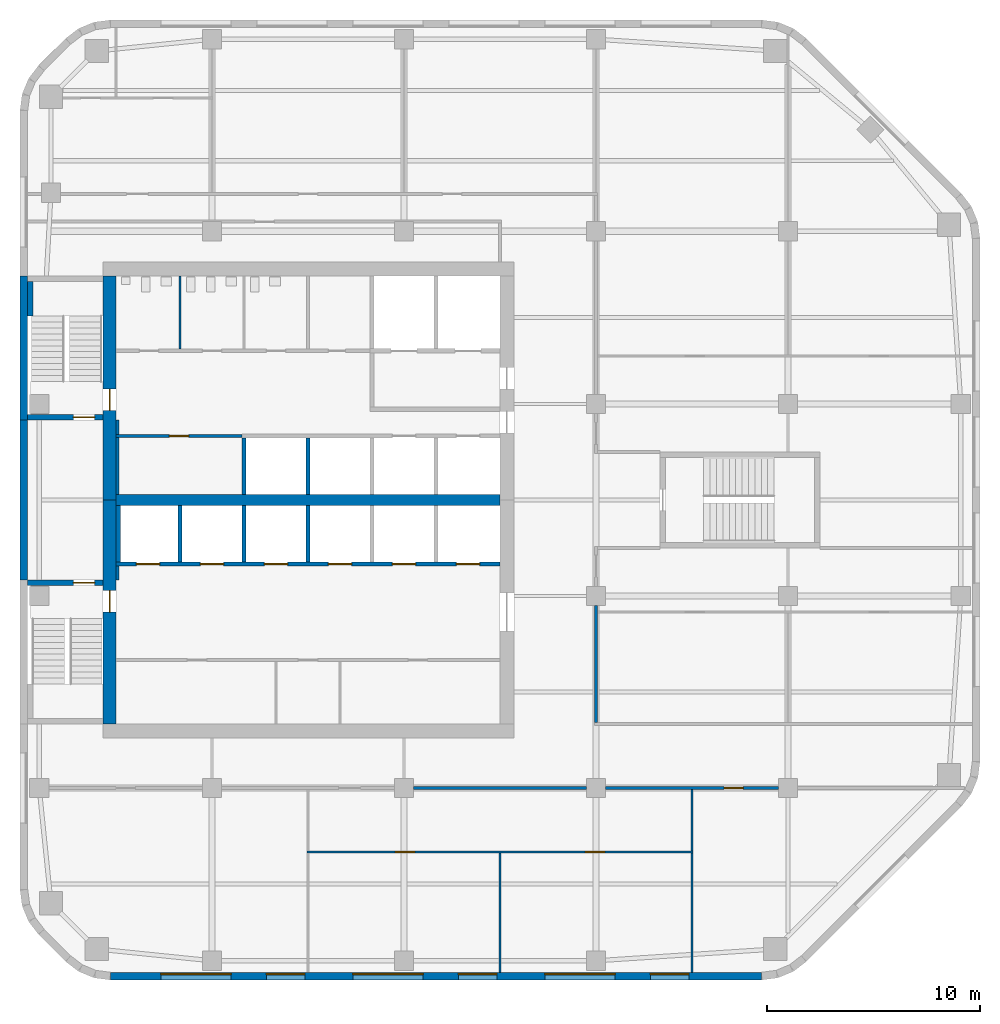
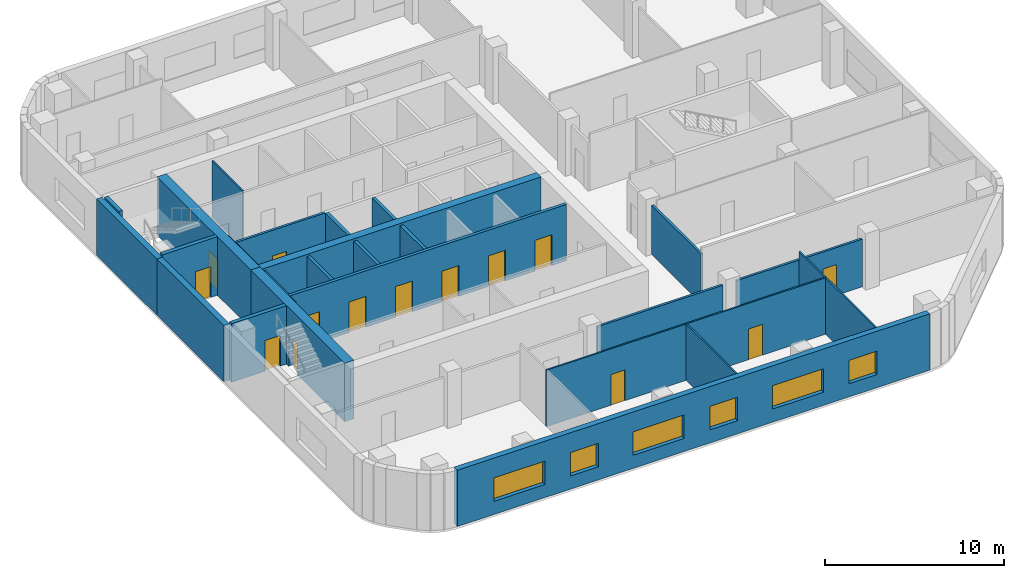
# One storey, part 3 of 8: 28 walls, 14 doors, 6 windows, 20 openings.
"""IFC4 building model written with IfcOpenShell, lengths in metres."""

from ifc_helpers import new_model, si_unit, direction, frame, frame_2d, origin, place, context, subcontext, project, spatial, rectangle, extrude, material, layer, layer_set, type_object, element, fill, save


model = new_model("IFC4")

# Units and contexts
model_context = context("Model", 3, precision=1e-05, world=origin(), true_north=direction((0.0, 1.0)))
body_context = subcontext(model_context, "Body", "Model", "MODEL_VIEW")
ifc_project = project(units=[si_unit("LENGTHUNIT", "METRE"), si_unit("AREAUNIT", "SQUARE_METRE"), si_unit("VOLUMEUNIT", "CUBIC_METRE"), si_unit("PLANEANGLEUNIT", "RADIAN"), si_unit("MASSUNIT", "GRAM", prefix="KILO")], contexts=[model_context])

# Site, building, storey
site_placement = place(None, origin())
site = spatial("IfcSite", under=ifc_project, at=site_placement, CompositionType="ELEMENT")
building_placement = place(site_placement, origin())
building = spatial("IfcBuilding", under=site, at=building_placement, Name="Cinnabar Reach Civic Tower", CompositionType="ELEMENT")
storey_placement = place(building_placement, frame((0.0, 0.0, 165.0)))
storey = spatial("IfcBuildingStorey", under=building, at=storey_placement, Name="L39", CompositionType="ELEMENT", Elevation=165.0)

# Wall, openings, windows
ifc_material_1 = material(Name="Facing brick with insulated backing", Category="masonry")
ifc_layer_1 = layer(ifc_material_1, 0.36)
ifc_layer_set_1 = layer_set([ifc_layer_1], Name="Brick pier and spandrel wall")
wall_type_1 = type_object("IfcWallType", Name="Brick pier and spandrel wall", PredefinedType="STANDARD", material=ifc_layer_set_1)
wall_1_placement = place(storey_placement, frame((4.2426, 9.18, 0.0), z_axis=(0.0, 0.0, 1.0), x_axis=(1.0, 0.0, 0.0)))
wall_1 = element("IfcWall", 1, at=wall_1_placement, inside=storey, type_object=wall_type_1, Name="Brick facade wall", PredefinedType="STANDARD", context=body_context, shape_type="SweptSolid", body=[
    extrude(rectangle(XDim=30.5148, YDim=0.36, at=frame_2d((15.2574, 0.0))), origin(), (0.0, 0.0, 1.0), 3.85),
])
opening_1_placement = place(wall_1_placement, frame((2.3574, 0.0, 0.9)))
opening_1 = element("IfcOpeningElement", 2, at=opening_1_placement, cuts=wall_1, Name="Opening W1801", PredefinedType="OPENING", context=body_context, shape_type="SweptSolid", body=[
    extrude(rectangle(XDim=3.3, YDim=1.6, at=frame_2d((1.65, 0.8))), frame((0.0, 0.19, 0.0), z_axis=(0.0, -1.0, 0.0), x_axis=(1.0, 0.0, 0.0)), (0.0, 0.0, 1.0), 0.38),
])
opening_2_placement = place(wall_1_placement, frame((7.3074, 0.0, 0.9)))
opening_2 = element("IfcOpeningElement", 3, at=opening_2_placement, cuts=wall_1, Name="Opening W1802", PredefinedType="OPENING", context=body_context, shape_type="SweptSolid", body=[
    extrude(rectangle(XDim=1.8, YDim=1.6, at=frame_2d((0.9, 0.8))), frame((0.0, 0.19, 0.0), z_axis=(0.0, -1.0, 0.0), x_axis=(1.0, 0.0, 0.0)), (0.0, 0.0, 1.0), 0.38),
])
opening_3_placement = place(wall_1_placement, frame((11.3574, 0.0, 0.9)))
opening_3 = element("IfcOpeningElement", 4, at=opening_3_placement, cuts=wall_1, Name="Opening W1803", PredefinedType="OPENING", context=body_context, shape_type="SweptSolid", body=[
    extrude(rectangle(XDim=3.3, YDim=1.6, at=frame_2d((1.65, 0.8))), frame((0.0, 0.19, 0.0), z_axis=(0.0, -1.0, 0.0), x_axis=(1.0, 0.0, 0.0)), (0.0, 0.0, 1.0), 0.38),
])
opening_4_placement = place(wall_1_placement, frame((16.3074, 0.0, 0.9)))
opening_4 = element("IfcOpeningElement", 5, at=opening_4_placement, cuts=wall_1, Name="Opening W1804", PredefinedType="OPENING", context=body_context, shape_type="SweptSolid", body=[
    extrude(rectangle(XDim=1.8, YDim=1.6, at=frame_2d((0.9, 0.8))), frame((0.0, 0.19, 0.0), z_axis=(0.0, -1.0, 0.0), x_axis=(1.0, 0.0, 0.0)), (0.0, 0.0, 1.0), 0.38),
])
opening_5_placement = place(wall_1_placement, frame((20.3574, 0.0, 0.9)))
opening_5 = element("IfcOpeningElement", 6, at=opening_5_placement, cuts=wall_1, Name="Opening W1805", PredefinedType="OPENING", context=body_context, shape_type="SweptSolid", body=[
    extrude(rectangle(XDim=3.3, YDim=1.6, at=frame_2d((1.65, 0.8))), frame((0.0, 0.19, 0.0), z_axis=(0.0, -1.0, 0.0), x_axis=(1.0, 0.0, 0.0)), (0.0, 0.0, 1.0), 0.38),
])
opening_6_placement = place(wall_1_placement, frame((25.3074, 0.0, 0.9)))
opening_6 = element("IfcOpeningElement", 7, at=opening_6_placement, cuts=wall_1, Name="Opening W1806", PredefinedType="OPENING", context=body_context, shape_type="SweptSolid", body=[
    extrude(rectangle(XDim=1.8, YDim=1.6, at=frame_2d((0.9, 0.8))), frame((0.0, 0.19, 0.0), z_axis=(0.0, -1.0, 0.0), x_axis=(1.0, 0.0, 0.0)), (0.0, 0.0, 1.0), 0.38),
])
ifc_material_2 = material(Name="Clear double glazing in aluminium frame", Category="aluminium")
window_type_1 = type_object("IfcWindowType", Name="Deep-set window A", PartitioningType="SINGLE_PANEL", PredefinedType="WINDOW", material=ifc_material_2)
window_1_placement = place(opening_1_placement, origin())
window_1 = element("IfcWindow", 8, at=window_1_placement, inside=storey, type_object=window_type_1, Name="Window south face", OverallHeight=1.6, OverallWidth=3.3, PartitioningType="SINGLE_PANEL", PredefinedType="WINDOW", context=body_context, shape_type="SweptSolid", body=[
    extrude(rectangle(XDim=3.3, YDim=1.6, at=frame_2d((1.65, 0.8))), frame((0.0, 0.13, 0.0), z_axis=(0.0, -1.0, 0.0), x_axis=(1.0, 0.0, 0.0)), (0.0, 0.0, 1.0), 0.06),
])
fill(opening_1, window_1)
window_2_placement = place(opening_3_placement, origin())
window_2 = element("IfcWindow", 9, at=window_2_placement, inside=storey, type_object=window_type_1, Name="Window south face", OverallHeight=1.6, OverallWidth=3.3, PartitioningType="SINGLE_PANEL", PredefinedType="WINDOW", context=body_context, shape_type="SweptSolid", body=[
    extrude(rectangle(XDim=3.3, YDim=1.6, at=frame_2d((1.65, 0.8))), frame((0.0, 0.13, 0.0), z_axis=(0.0, -1.0, 0.0), x_axis=(1.0, 0.0, 0.0)), (0.0, 0.0, 1.0), 0.06),
])
fill(opening_3, window_2)
window_3_placement = place(opening_5_placement, origin())
window_3 = element("IfcWindow", 10, at=window_3_placement, inside=storey, type_object=window_type_1, Name="Window south face", OverallHeight=1.6, OverallWidth=3.3, PartitioningType="SINGLE_PANEL", PredefinedType="WINDOW", context=body_context, shape_type="SweptSolid", body=[
    extrude(rectangle(XDim=3.3, YDim=1.6, at=frame_2d((1.65, 0.8))), frame((0.0, 0.13, 0.0), z_axis=(0.0, -1.0, 0.0), x_axis=(1.0, 0.0, 0.0)), (0.0, 0.0, 1.0), 0.06),
])
fill(opening_5, window_3)
window_type_2 = type_object("IfcWindowType", Name="Deep-set window D", PartitioningType="SINGLE_PANEL", PredefinedType="WINDOW", material=ifc_material_2)
window_4_placement = place(opening_2_placement, origin())
window_4 = element("IfcWindow", 11, at=window_4_placement, inside=storey, type_object=window_type_2, Name="Window south face", OverallHeight=1.6, OverallWidth=1.8, PartitioningType="SINGLE_PANEL", PredefinedType="WINDOW", context=body_context, shape_type="SweptSolid", body=[
    extrude(rectangle(XDim=1.8, YDim=1.6, at=frame_2d((0.9, 0.8))), frame((0.0, 0.13, 0.0), z_axis=(0.0, -1.0, 0.0), x_axis=(1.0, 0.0, 0.0)), (0.0, 0.0, 1.0), 0.06),
])
fill(opening_2, window_4)
window_5_placement = place(opening_4_placement, origin())
window_5 = element("IfcWindow", 12, at=window_5_placement, inside=storey, type_object=window_type_2, Name="Window south face", OverallHeight=1.6, OverallWidth=1.8, PartitioningType="SINGLE_PANEL", PredefinedType="WINDOW", context=body_context, shape_type="SweptSolid", body=[
    extrude(rectangle(XDim=1.8, YDim=1.6, at=frame_2d((0.9, 0.8))), frame((0.0, 0.13, 0.0), z_axis=(0.0, -1.0, 0.0), x_axis=(1.0, 0.0, 0.0)), (0.0, 0.0, 1.0), 0.06),
])
fill(opening_4, window_5)
window_6_placement = place(opening_6_placement, origin())
window_6 = element("IfcWindow", 13, at=window_6_placement, inside=storey, type_object=window_type_2, Name="Window south face", OverallHeight=1.6, OverallWidth=1.8, PartitioningType="SINGLE_PANEL", PredefinedType="WINDOW", context=body_context, shape_type="SweptSolid", body=[
    extrude(rectangle(XDim=1.8, YDim=1.6, at=frame_2d((0.9, 0.8))), frame((0.0, 0.13, 0.0), z_axis=(0.0, -1.0, 0.0), x_axis=(1.0, 0.0, 0.0)), (0.0, 0.0, 1.0), 0.06),
])
fill(opening_6, window_6)

# Walls
wall_2_placement = place(storey_placement, frame((0.18, 42.0, 0.0), z_axis=(0.0, 0.0, 1.0), x_axis=(0.0, -1.0, 0.0)))
element("IfcWall", 14, at=wall_2_placement, inside=storey, type_object=wall_type_1, Name="Brick facade wall", PredefinedType="STANDARD", context=body_context, shape_type="SweptSolid", body=[
    extrude(rectangle(XDim=6.75, YDim=0.36, at=frame_2d((3.375, 0.0))), origin(), (0.0, 0.0, 1.0), 3.85),
])
wall_3_placement = place(storey_placement, frame((0.18, 35.25, 0.0), z_axis=(0.0, 0.0, 1.0), x_axis=(0.0, -1.0, 0.0)))
element("IfcWall", 15, at=wall_3_placement, inside=storey, type_object=wall_type_1, Name="Brick facade wall", PredefinedType="STANDARD", context=body_context, shape_type="SweptSolid", body=[
    extrude(rectangle(XDim=7.5, YDim=0.36, at=frame_2d((3.75, 0.0))), origin(), (0.0, 0.0, 1.0), 3.85),
])
ifc_material_3 = material(Name="Concrete C60", Category="concrete")
ifc_layer_2 = layer(ifc_material_3, 0.5)
ifc_layer_set_2 = layer_set([ifc_layer_2], Name="Core wall 500 EI 180")
wall_type_2 = type_object("IfcWallType", Name="Core wall 500 EI 180", PredefinedType="SOLIDWALL", material=ifc_layer_set_2)
wall_4_placement = place(storey_placement, frame((4.5, 31.5, 0.0), z_axis=(0.0, 0.0, 1.0), x_axis=(1.0, 0.0, 0.0)))
element("IfcWall", 16, at=wall_4_placement, inside=storey, type_object=wall_type_2, Name="Core spine wall T1 L39", PredefinedType="SOLIDWALL", context=body_context, shape_type="SweptSolid", body=[
    extrude(rectangle(XDim=18.0, YDim=0.5, at=frame_2d((9.0, 0.0))), origin(), (0.0, 0.0, 1.0), 4.0),
])

# Wall, opening, door
ifc_material_4 = material(Name="Concrete C70", Category="concrete")
ifc_layer_3 = layer(ifc_material_4, 0.6)
ifc_layer_set_3 = layer_set([ifc_layer_3], Name="Core wall 600 EI 180")
wall_type_3 = type_object("IfcWallType", Name="Core wall 600 EI 180", PredefinedType="SOLIDWALL", material=ifc_layer_set_3)
wall_5_placement = place(storey_placement, frame((4.2, 42.0, 0.0), z_axis=(0.0, 0.0, 1.0), x_axis=(0.0, -1.0, 0.0)))
wall_5 = element("IfcWall", 17, at=wall_5_placement, inside=storey, type_object=wall_type_3, Name="Core wall T1 L39 W", PredefinedType="SOLIDWALL", context=body_context, shape_type="SweptSolid", body=[
    extrude(rectangle(XDim=10.5, YDim=0.6, at=frame_2d((5.25, 0.0))), origin(), (0.0, 0.0, 1.0), 4.0),
])
opening_7_placement = place(wall_5_placement, frame((5.3, 0.0, 0.0)))
opening_7 = element("IfcOpeningElement", 18, at=opening_7_placement, cuts=wall_5, Name="Opening D4586", PredefinedType="OPENING", context=body_context, shape_type="SweptSolid", body=[
    extrude(rectangle(XDim=1.0, YDim=2.1, at=frame_2d((0.5, 1.05))), frame((0.0, 0.31, 0.0), z_axis=(0.0, -1.0, 0.0), x_axis=(1.0, 0.0, 0.0)), (0.0, 0.0, 1.0), 0.62),
])
ifc_material_5 = material(Name="Timber door leaf in steel frame", Category="steel")
door_type_1 = type_object("IfcDoorType", Name="Stair door 1000 x 2100 T1", OperationType="SINGLE_SWING_LEFT", PredefinedType="DOOR", material=ifc_material_5)
door_1_placement = place(opening_7_placement, frame((1.0, 0.0, 0.0), z_axis=(0.0, 0.0, 1.0), x_axis=(-1.0, 0.0, 0.0)))
door_1 = element("IfcDoor", 19, at=door_1_placement, inside=storey, type_object=door_type_1, Name="Door D4586", OperationType="SINGLE_SWING_LEFT", OverallHeight=2.1, OverallWidth=1.0, PredefinedType="DOOR", context=body_context, shape_type="SweptSolid", body=[
    extrude(rectangle(XDim=1.0, YDim=2.1, at=frame_2d((0.5, 1.05))), frame((0.0, 0.025, 0.0), z_axis=(0.0, -1.0, 0.0), x_axis=(1.0, 0.0, 0.0)), (0.0, 0.0, 1.0), 0.05),
])
fill(opening_7, door_1)

wall_6_placement = place(storey_placement, frame((4.2, 31.5, 0.0), z_axis=(0.0, 0.0, 1.0), x_axis=(0.0, -1.0, 0.0)))
wall_6 = element("IfcWall", 20, at=wall_6_placement, inside=storey, type_object=wall_type_3, Name="Core wall T1 L39 W2", PredefinedType="SOLIDWALL", context=body_context, shape_type="SweptSolid", body=[
    extrude(rectangle(XDim=10.5, YDim=0.6, at=frame_2d((5.25, 0.0))), origin(), (0.0, 0.0, 1.0), 4.0),
])
opening_8_placement = place(wall_6_placement, frame((4.25, 0.0, 0.0)))
opening_8 = element("IfcOpeningElement", 21, at=opening_8_placement, cuts=wall_6, Name="Opening D4584", PredefinedType="OPENING", context=body_context, shape_type="SweptSolid", body=[
    extrude(rectangle(XDim=1.0, YDim=2.1, at=frame_2d((0.5, 1.05))), frame((0.0, 0.31, 0.0), z_axis=(0.0, -1.0, 0.0), x_axis=(1.0, 0.0, 0.0)), (0.0, 0.0, 1.0), 0.62),
])
door_2_placement = place(opening_8_placement, frame((1.0, 0.0, 0.0), z_axis=(0.0, 0.0, 1.0), x_axis=(-1.0, 0.0, 0.0)))
door_2 = element("IfcDoor", 22, at=door_2_placement, inside=storey, type_object=door_type_1, Name="Door D4584", OperationType="SINGLE_SWING_RIGHT", OverallHeight=2.1, OverallWidth=1.0, PredefinedType="DOOR", context=body_context, shape_type="SweptSolid", body=[
    extrude(rectangle(XDim=1.0, YDim=2.1, at=frame_2d((0.5, 1.05))), frame((0.0, 0.025, 0.0), z_axis=(0.0, -1.0, 0.0), x_axis=(1.0, 0.0, 0.0)), (0.0, 0.0, 1.0), 0.05),
])
fill(opening_8, door_2)

# Wall
ifc_material_6 = material(Name="Gypsum board on steel studs, double layer", Category="steel")
ifc_layer_4 = layer(ifc_material_6, 0.15)
ifc_layer_set_4 = layer_set([ifc_layer_4], Name="Corridor wall 150 T1")
wall_type_4 = type_object("IfcWallType", Name="Corridor wall 150 T1", PredefinedType="PARTITIONING", material=ifc_layer_set_4)
wall_7_placement = place(storey_placement, frame((18.45, 18.0, 0.0), z_axis=(0.0, 0.0, 1.0), x_axis=(1.0, 0.0, 0.0)))
element("IfcWall", 23, at=wall_7_placement, inside=storey, type_object=wall_type_4, Name="Corridor wall 20", PredefinedType="PARTITIONING", context=body_context, shape_type="SweptSolid", body=[
    extrude(rectangle(XDim=8.1, YDim=0.15, at=frame_2d((4.05, 0.0))), origin(), (0.0, 0.0, 1.0), 3.262),
])

# Wall, opening, door
wall_8_placement = place(storey_placement, frame((27.45, 18.0, 0.0), z_axis=(0.0, 0.0, 1.0), x_axis=(1.0, 0.0, 0.0)))
wall_8 = element("IfcWall", 24, at=wall_8_placement, inside=storey, type_object=wall_type_4, Name="Corridor wall 21", PredefinedType="PARTITIONING", context=body_context, shape_type="SweptSolid", body=[
    extrude(rectangle(XDim=8.1, YDim=0.15, at=frame_2d((4.05, 0.0))), origin(), (0.0, 0.0, 1.0), 3.262),
])
opening_9_placement = place(wall_8_placement, frame((5.55, 0.0, 0.0)))
opening_9 = element("IfcOpeningElement", 25, at=opening_9_placement, cuts=wall_8, Name="Opening D4620", PredefinedType="OPENING", context=body_context, shape_type="SweptSolid", body=[
    extrude(rectangle(XDim=0.9, YDim=2.1, at=frame_2d((0.45, 1.05))), frame((0.0, 0.085, 0.0), z_axis=(0.0, -1.0, 0.0), x_axis=(1.0, 0.0, 0.0)), (0.0, 0.0, 1.0), 0.17),
])
door_type_2 = type_object("IfcDoorType", Name="Single swing door 900 x 2100 corridor T1", OperationType="SINGLE_SWING_LEFT", PredefinedType="DOOR", material=ifc_material_5)
door_3_placement = place(opening_9_placement, frame((0.9, 0.0, 0.0), z_axis=(0.0, 0.0, 1.0), x_axis=(-1.0, 0.0, 0.0)))
door_3 = element("IfcDoor", 26, at=door_3_placement, inside=storey, type_object=door_type_2, Name="Door D4620", OperationType="SINGLE_SWING_LEFT", OverallHeight=2.1, OverallWidth=0.9, PredefinedType="DOOR", context=body_context, shape_type="SweptSolid", body=[
    extrude(rectangle(XDim=0.9, YDim=2.1, at=frame_2d((0.45, 1.05))), frame((0.0, 0.025, 0.0), z_axis=(0.0, -1.0, 0.0), x_axis=(1.0, 0.0, 0.0)), (0.0, 0.0, 1.0), 0.05),
])
fill(opening_9, door_3)

# Wall
wall_9_placement = place(storey_placement, frame((27.0, 21.075, 0.0), z_axis=(0.0, 0.0, 1.0), x_axis=(0.0, 1.0, 0.0)))
element("IfcWall", 27, at=wall_9_placement, inside=storey, type_object=wall_type_4, Name="Corridor wall 32", PredefinedType="PARTITIONING", context=body_context, shape_type="SweptSolid", body=[
    extrude(rectangle(XDim=5.475, YDim=0.15, at=frame_2d((2.7375, 0.0))), origin(), (0.0, 0.0, 1.0), 3.362),
])

# Wall, opening, door
wall_10_placement = place(storey_placement, frame((4.5, 34.5, 0.0), z_axis=(0.0, 0.0, 1.0), x_axis=(1.0, 0.0, 0.0)))
wall_10 = element("IfcWall", 28, at=wall_10_placement, inside=storey, type_object=wall_type_4, Name="Corridor wall 34", PredefinedType="PARTITIONING", context=body_context, shape_type="SweptSolid", body=[
    extrude(rectangle(XDim=5.9, YDim=0.15, at=frame_2d((2.95, 0.0))), origin(), (0.0, 0.0, 1.0), 3.85),
])
opening_10_placement = place(wall_10_placement, frame((2.5, 0.0, 0.0)))
opening_10 = element("IfcOpeningElement", 29, at=opening_10_placement, cuts=wall_10, Name="Opening D4605", PredefinedType="OPENING", context=body_context, shape_type="SweptSolid", body=[
    extrude(rectangle(XDim=0.9, YDim=2.1, at=frame_2d((0.45, 1.05))), frame((0.0, 0.085, 0.0), z_axis=(0.0, -1.0, 0.0), x_axis=(1.0, 0.0, 0.0)), (0.0, 0.0, 1.0), 0.17),
])
door_4_placement = place(opening_10_placement, frame((0.9, 0.0, 0.0), z_axis=(0.0, 0.0, 1.0), x_axis=(-1.0, 0.0, 0.0)))
door_4 = element("IfcDoor", 30, at=door_4_placement, inside=storey, type_object=door_type_2, Name="Door D4605", OperationType="SINGLE_SWING_LEFT", OverallHeight=2.1, OverallWidth=0.9, PredefinedType="DOOR", context=body_context, shape_type="SweptSolid", body=[
    extrude(rectangle(XDim=0.9, YDim=2.1, at=frame_2d((0.45, 1.05))), frame((0.0, 0.025, 0.0), z_axis=(0.0, -1.0, 0.0), x_axis=(1.0, 0.0, 0.0)), (0.0, 0.0, 1.0), 0.05),
])
fill(opening_10, door_4)

# Walls
wall_11_placement = place(storey_placement, frame((4.575, 34.575, 0.0), z_axis=(0.0, 0.0, 1.0), x_axis=(0.0, 1.0, 0.0)))
element("IfcWall", 31, at=wall_11_placement, inside=storey, type_object=wall_type_4, Name="Corridor wall 35", PredefinedType="PARTITIONING", context=body_context, shape_type="SweptSolid", body=[
    extrude(rectangle(XDim=0.675, YDim=0.15, at=frame_2d((0.3375, 0.0))), origin(), (0.0, 0.0, 1.0), 3.85),
])
wall_12_placement = place(storey_placement, frame((4.575, 31.75, 0.0), z_axis=(0.0, 0.0, 1.0), x_axis=(0.0, 1.0, 0.0)))
element("IfcWall", 32, at=wall_12_placement, inside=storey, type_object=wall_type_4, Name="Corridor wall 36", PredefinedType="PARTITIONING", context=body_context, shape_type="SweptSolid", body=[
    extrude(rectangle(XDim=2.675, YDim=0.15, at=frame_2d((1.3375, 0.0))), origin(), (0.0, 0.0, 1.0), 3.85),
])
wall_13_placement = place(storey_placement, frame((4.575, 27.75, 0.0), z_axis=(0.0, 0.0, 1.0), x_axis=(0.0, 1.0, 0.0)))
element("IfcWall", 33, at=wall_13_placement, inside=storey, type_object=wall_type_4, Name="Corridor wall 40", PredefinedType="PARTITIONING", context=body_context, shape_type="SweptSolid", body=[
    extrude(rectangle(XDim=0.65, YDim=0.15, at=frame_2d((0.325, 0.0))), origin(), (0.0, 0.0, 1.0), 3.85),
])

# Wall, openings, doors
ifc_material_7 = material(Name="Blockwork", Category="masonry")
ifc_layer_5 = layer(ifc_material_7, 0.2)
ifc_layer_set_5 = layer_set([ifc_layer_5], Name="Lift shaft wall 200 T1")
wall_type_5 = type_object("IfcWallType", Name="Lift shaft wall 200 T1", PredefinedType="PARTITIONING", material=ifc_layer_set_5)
wall_14_placement = place(storey_placement, frame((4.5, 28.5, 0.0), z_axis=(0.0, 0.0, 1.0), x_axis=(1.0, 0.0, 0.0)))
wall_14 = element("IfcWall", 34, at=wall_14_placement, inside=storey, type_object=wall_type_5, Name="Lift shaft wall 4", PredefinedType="PARTITIONING", context=body_context, shape_type="SweptSolid", body=[
    extrude(rectangle(XDim=18.0, YDim=0.2, at=frame_2d((9.0, 0.0))), origin(), (0.0, 0.0, 1.0), 3.85),
])
opening_11_placement = place(wall_14_placement, frame((0.95, 0.0, 0.0)))
opening_11 = element("IfcOpeningElement", 35, at=opening_11_placement, cuts=wall_14, Name="Opening D4588", PredefinedType="OPENING", context=body_context, shape_type="SweptSolid", body=[
    extrude(rectangle(XDim=1.1, YDim=2.1, at=frame_2d((0.55, 1.05))), frame((0.0, 0.11, 0.0), z_axis=(0.0, -1.0, 0.0), x_axis=(1.0, 0.0, 0.0)), (0.0, 0.0, 1.0), 0.22),
])
opening_12_placement = place(wall_14_placement, frame((3.95, 0.0, 0.0)))
opening_12 = element("IfcOpeningElement", 36, at=opening_12_placement, cuts=wall_14, Name="Opening D4589", PredefinedType="OPENING", context=body_context, shape_type="SweptSolid", body=[
    extrude(rectangle(XDim=1.1, YDim=2.1, at=frame_2d((0.55, 1.05))), frame((0.0, 0.11, 0.0), z_axis=(0.0, -1.0, 0.0), x_axis=(1.0, 0.0, 0.0)), (0.0, 0.0, 1.0), 0.22),
])
opening_13_placement = place(wall_14_placement, frame((6.95, 0.0, 0.0)))
opening_13 = element("IfcOpeningElement", 37, at=opening_13_placement, cuts=wall_14, Name="Opening D4590", PredefinedType="OPENING", context=body_context, shape_type="SweptSolid", body=[
    extrude(rectangle(XDim=1.1, YDim=2.1, at=frame_2d((0.55, 1.05))), frame((0.0, 0.11, 0.0), z_axis=(0.0, -1.0, 0.0), x_axis=(1.0, 0.0, 0.0)), (0.0, 0.0, 1.0), 0.22),
])
opening_14_placement = place(wall_14_placement, frame((9.95, 0.0, 0.0)))
opening_14 = element("IfcOpeningElement", 38, at=opening_14_placement, cuts=wall_14, Name="Opening D4591", PredefinedType="OPENING", context=body_context, shape_type="SweptSolid", body=[
    extrude(rectangle(XDim=1.1, YDim=2.1, at=frame_2d((0.55, 1.05))), frame((0.0, 0.11, 0.0), z_axis=(0.0, -1.0, 0.0), x_axis=(1.0, 0.0, 0.0)), (0.0, 0.0, 1.0), 0.22),
])
opening_15_placement = place(wall_14_placement, frame((12.95, 0.0, 0.0)))
opening_15 = element("IfcOpeningElement", 39, at=opening_15_placement, cuts=wall_14, Name="Opening D4592", PredefinedType="OPENING", context=body_context, shape_type="SweptSolid", body=[
    extrude(rectangle(XDim=1.1, YDim=2.1, at=frame_2d((0.55, 1.05))), frame((0.0, 0.11, 0.0), z_axis=(0.0, -1.0, 0.0), x_axis=(1.0, 0.0, 0.0)), (0.0, 0.0, 1.0), 0.22),
])
opening_16_placement = place(wall_14_placement, frame((15.95, 0.0, 0.0)))
opening_16 = element("IfcOpeningElement", 40, at=opening_16_placement, cuts=wall_14, Name="Opening D4593", PredefinedType="OPENING", context=body_context, shape_type="SweptSolid", body=[
    extrude(rectangle(XDim=1.1, YDim=2.1, at=frame_2d((0.55, 1.05))), frame((0.0, 0.11, 0.0), z_axis=(0.0, -1.0, 0.0), x_axis=(1.0, 0.0, 0.0)), (0.0, 0.0, 1.0), 0.22),
])
ifc_material_8 = material(Name="Stainless steel sliding door", Category="steel")
door_type_3 = type_object("IfcDoorType", Name="Lift landing door 1100 x 2100 T1", OperationType="SLIDING_TO_LEFT", PredefinedType="DOOR", material=ifc_material_8)
door_5_placement = place(opening_11_placement, origin())
door_5 = element("IfcDoor", 41, at=door_5_placement, inside=storey, type_object=door_type_3, Name="Lift landing door HR1 L39", OperationType="SLIDING_TO_LEFT", OverallHeight=2.1, OverallWidth=1.1, PredefinedType="DOOR", context=body_context, shape_type="SweptSolid", body=[
    extrude(rectangle(XDim=1.1, YDim=2.1, at=frame_2d((0.55, 1.05))), frame((0.0, 0.025, 0.0), z_axis=(0.0, -1.0, 0.0), x_axis=(1.0, 0.0, 0.0)), (0.0, 0.0, 1.0), 0.05),
])
fill(opening_11, door_5)
door_6_placement = place(opening_12_placement, origin())
door_6 = element("IfcDoor", 42, at=door_6_placement, inside=storey, type_object=door_type_3, Name="Lift landing door HR2 L39", OperationType="SLIDING_TO_LEFT", OverallHeight=2.1, OverallWidth=1.1, PredefinedType="DOOR", context=body_context, shape_type="SweptSolid", body=[
    extrude(rectangle(XDim=1.1, YDim=2.1, at=frame_2d((0.55, 1.05))), frame((0.0, 0.025, 0.0), z_axis=(0.0, -1.0, 0.0), x_axis=(1.0, 0.0, 0.0)), (0.0, 0.0, 1.0), 0.05),
])
fill(opening_12, door_6)
door_7_placement = place(opening_13_placement, origin())
door_7 = element("IfcDoor", 43, at=door_7_placement, inside=storey, type_object=door_type_3, Name="Lift landing door HR3 L39", OperationType="SLIDING_TO_LEFT", OverallHeight=2.1, OverallWidth=1.1, PredefinedType="DOOR", context=body_context, shape_type="SweptSolid", body=[
    extrude(rectangle(XDim=1.1, YDim=2.1, at=frame_2d((0.55, 1.05))), frame((0.0, 0.025, 0.0), z_axis=(0.0, -1.0, 0.0), x_axis=(1.0, 0.0, 0.0)), (0.0, 0.0, 1.0), 0.05),
])
fill(opening_13, door_7)
door_8_placement = place(opening_14_placement, origin())
door_8 = element("IfcDoor", 44, at=door_8_placement, inside=storey, type_object=door_type_3, Name="Lift landing door HR4 L39", OperationType="SLIDING_TO_LEFT", OverallHeight=2.1, OverallWidth=1.1, PredefinedType="DOOR", context=body_context, shape_type="SweptSolid", body=[
    extrude(rectangle(XDim=1.1, YDim=2.1, at=frame_2d((0.55, 1.05))), frame((0.0, 0.025, 0.0), z_axis=(0.0, -1.0, 0.0), x_axis=(1.0, 0.0, 0.0)), (0.0, 0.0, 1.0), 0.05),
])
fill(opening_14, door_8)
door_9_placement = place(opening_15_placement, origin())
door_9 = element("IfcDoor", 45, at=door_9_placement, inside=storey, type_object=door_type_3, Name="Lift landing door HR5 L39", OperationType="SLIDING_TO_LEFT", OverallHeight=2.1, OverallWidth=1.1, PredefinedType="DOOR", context=body_context, shape_type="SweptSolid", body=[
    extrude(rectangle(XDim=1.1, YDim=2.1, at=frame_2d((0.55, 1.05))), frame((0.0, 0.025, 0.0), z_axis=(0.0, -1.0, 0.0), x_axis=(1.0, 0.0, 0.0)), (0.0, 0.0, 1.0), 0.05),
])
fill(opening_15, door_9)
door_10_placement = place(opening_16_placement, origin())
door_10 = element("IfcDoor", 46, at=door_10_placement, inside=storey, type_object=door_type_3, Name="Lift landing door HR6 L39", OperationType="SLIDING_TO_LEFT", OverallHeight=2.1, OverallWidth=1.1, PredefinedType="DOOR", context=body_context, shape_type="SweptSolid", body=[
    extrude(rectangle(XDim=1.1, YDim=2.1, at=frame_2d((0.55, 1.05))), frame((0.0, 0.025, 0.0), z_axis=(0.0, -1.0, 0.0), x_axis=(1.0, 0.0, 0.0)), (0.0, 0.0, 1.0), 0.05),
])
fill(opening_16, door_10)

# Walls
for number, where, z_axis, x_axis, name in (
    (47, (10.5, 28.6, 0.0), (0.0, 0.0, 1.0), (0.0, 1.0, 0.0), "Lift shaft wall 6"),
    (48, (10.5, 31.75, 0.0), (0.0, 0.0, 1.0), (0.0, 1.0, 0.0), "Lift shaft wall 7"),
    (49, (13.5, 28.6, 0.0), (0.0, 0.0, 1.0), (0.0, 1.0, 0.0), "Lift shaft wall 8"),
    (50, (13.5, 31.75, 0.0), (0.0, 0.0, 1.0), (0.0, 1.0, 0.0), "Lift shaft wall 9"),
    (51, (4.6, 28.6, 0.0), (0.0, 0.0, 1.0), (0.0, 1.0, 0.0), "Lift shaft wall 16"),
    (52, (7.5, 28.6, 0.0), (0.0, 0.0, 1.0), (0.0, 1.0, 0.0), "Lift shaft wall 17"),
):
    element("IfcWall", number, at=place(storey_placement, frame(where, z_axis=z_axis, x_axis=x_axis)), inside=storey, type_object=wall_type_5, Name=name, PredefinedType="PARTITIONING", context=body_context, shape_type="SweptSolid", body=[
        extrude(rectangle(XDim=2.65, YDim=0.2, at=frame_2d((1.325, 0.0))), origin(), (0.0, 0.0, 1.0), 3.85),
    ])

# Wall, openings, doors
ifc_material_9 = material(Name="Gypsum board on steel studs", Category="steel")
ifc_layer_6 = layer(ifc_material_9, 0.1)
ifc_layer_set_6 = layer_set([ifc_layer_6], Name="Partition wall 100 T1")
wall_type_6 = type_object("IfcWallType", Name="Partition wall 100 T1", PredefinedType="PARTITIONING", material=ifc_layer_set_6)
wall_15_placement = place(storey_placement, frame((13.45, 15.0, 0.0), z_axis=(0.0, 0.0, 1.0), x_axis=(1.0, 0.0, 0.0)))
wall_15 = element("IfcWall", 53, at=wall_15_placement, inside=storey, type_object=wall_type_6, Name="Partition wall 43", PredefinedType="PARTITIONING", context=body_context, shape_type="SweptSolid", body=[
    extrude(rectangle(XDim=18.1, YDim=0.1, at=frame_2d((9.05, 0.0))), origin(), (0.0, 0.0, 1.0), 3.85),
])
opening_17_placement = place(wall_15_placement, frame((4.15, 0.0, 0.0)))
opening_17 = element("IfcOpeningElement", 54, at=opening_17_placement, cuts=wall_15, Name="Opening D4618", PredefinedType="OPENING", context=body_context, shape_type="SweptSolid", body=[
    extrude(rectangle(XDim=0.9, YDim=2.1, at=frame_2d((0.45, 1.05))), frame((0.0, 0.06, 0.0), z_axis=(0.0, -1.0, 0.0), x_axis=(1.0, 0.0, 0.0)), (0.0, 0.0, 1.0), 0.12),
])
opening_18_placement = place(wall_15_placement, frame((13.05, 0.0, 0.0)))
opening_18 = element("IfcOpeningElement", 55, at=opening_18_placement, cuts=wall_15, Name="Opening D4619", PredefinedType="OPENING", context=body_context, shape_type="SweptSolid", body=[
    extrude(rectangle(XDim=0.9, YDim=2.1, at=frame_2d((0.45, 1.05))), frame((0.0, 0.06, 0.0), z_axis=(0.0, -1.0, 0.0), x_axis=(1.0, 0.0, 0.0)), (0.0, 0.0, 1.0), 0.12),
])
door_type_4 = type_object("IfcDoorType", Name="Single swing door 900 x 2100 T1", OperationType="SINGLE_SWING_LEFT", PredefinedType="DOOR", material=ifc_material_5)
door_11_placement = place(opening_17_placement, frame((0.9, 0.0, 0.0), z_axis=(0.0, 0.0, 1.0), x_axis=(-1.0, 0.0, 0.0)))
door_11 = element("IfcDoor", 56, at=door_11_placement, inside=storey, type_object=door_type_4, Name="Door D4618", OperationType="SINGLE_SWING_LEFT", OverallHeight=2.1, OverallWidth=0.9, PredefinedType="DOOR", context=body_context, shape_type="SweptSolid", body=[
    extrude(rectangle(XDim=0.9, YDim=2.1, at=frame_2d((0.45, 1.05))), frame((0.0, 0.025, 0.0), z_axis=(0.0, -1.0, 0.0), x_axis=(1.0, 0.0, 0.0)), (0.0, 0.0, 1.0), 0.05),
])
fill(opening_17, door_11)
door_12_placement = place(opening_18_placement, frame((0.9, 0.0, 0.0), z_axis=(0.0, 0.0, 1.0), x_axis=(-1.0, 0.0, 0.0)))
door_12 = element("IfcDoor", 57, at=door_12_placement, inside=storey, type_object=door_type_4, Name="Door D4619", OperationType="SINGLE_SWING_LEFT", OverallHeight=2.1, OverallWidth=0.9, PredefinedType="DOOR", context=body_context, shape_type="SweptSolid", body=[
    extrude(rectangle(XDim=0.9, YDim=2.1, at=frame_2d((0.45, 1.05))), frame((0.0, 0.025, 0.0), z_axis=(0.0, -1.0, 0.0), x_axis=(1.0, 0.0, 0.0)), (0.0, 0.0, 1.0), 0.05),
])
fill(opening_18, door_12)

# Walls
wall_16_placement = place(storey_placement, frame((31.5, 15.05, 0.0), z_axis=(0.0, 0.0, 1.0), x_axis=(0.0, 1.0, 0.0)))
element("IfcWall", 58, at=wall_16_placement, inside=storey, type_object=wall_type_6, Name="Partition wall 50", PredefinedType="PARTITIONING", context=body_context, shape_type="SweptSolid", body=[
    extrude(rectangle(XDim=2.875, YDim=0.1, at=frame_2d((1.4375, 0.0))), origin(), (0.0, 0.0, 1.0), 3.85),
])
for number, where, z_axis, x_axis, name in (
    (59, (31.5, 9.36, 0.0), (0.0, 0.0, 1.0), (0.0, 1.0, 0.0), "Partition wall 51"),
    (60, (22.5, 9.36, 0.0), (0.0, 0.0, 1.0), (0.0, 1.0, 0.0), "Partition wall 57"),
):
    element("IfcWall", number, at=place(storey_placement, frame(where, z_axis=z_axis, x_axis=x_axis)), inside=storey, type_object=wall_type_6, Name=name, PredefinedType="PARTITIONING", context=body_context, shape_type="SweptSolid", body=[
        extrude(rectangle(XDim=5.59, YDim=0.1, at=frame_2d((2.795, 0.0))), origin(), (0.0, 0.0, 1.0), 3.85),
    ])
wall_17_placement = place(storey_placement, frame((7.5, 38.575, 0.0), z_axis=(0.0, 0.0, 1.0), x_axis=(0.0, 1.0, 0.0)))
element("IfcWall", 61, at=wall_17_placement, inside=storey, type_object=wall_type_6, Name="Partition wall 59", PredefinedType="PARTITIONING", context=body_context, shape_type="SweptSolid", body=[
    extrude(rectangle(XDim=3.425, YDim=0.1, at=frame_2d((1.7125, 0.0))), origin(), (0.0, 0.0, 1.0), 3.85),
])

# Wall, opening, door
ifc_layer_7 = layer(ifc_material_3, 0.25)
ifc_layer_set_7 = layer_set([ifc_layer_7], Name="Stair shaft wall 250 EI 120")
wall_type_7 = type_object("IfcWallType", Name="Stair shaft wall 250 EI 120", PredefinedType="SOLIDWALL", material=ifc_layer_set_7)
wall_18_placement = place(storey_placement, frame((3.9, 27.625, 0.0), z_axis=(0.0, 0.0, 1.0), x_axis=(-1.0, 0.0, 0.0)))
wall_18 = element("IfcWall", 62, at=wall_18_placement, inside=storey, type_object=wall_type_7, Name="Stair shaft wall T1-S1 L39", PredefinedType="SOLIDWALL", context=body_context, shape_type="SweptSolid", body=[
    extrude(rectangle(XDim=3.54, YDim=0.25, at=frame_2d((1.77, 0.0))), origin(), (0.0, 0.0, 1.0), 4.0),
])
opening_19_placement = place(wall_18_placement, frame((0.4, 0.0, 0.0)))
opening_19 = element("IfcOpeningElement", 63, at=opening_19_placement, cuts=wall_18, Name="Opening D4585", PredefinedType="OPENING", context=body_context, shape_type="SweptSolid", body=[
    extrude(rectangle(XDim=1.0, YDim=2.1, at=frame_2d((0.5, 1.05))), frame((0.0, 0.135, 0.0), z_axis=(0.0, -1.0, 0.0), x_axis=(1.0, 0.0, 0.0)), (0.0, 0.0, 1.0), 0.27),
])
door_13_placement = place(opening_19_placement, origin())
door_13 = element("IfcDoor", 64, at=door_13_placement, inside=storey, type_object=door_type_1, Name="Door D4585", OperationType="SINGLE_SWING_LEFT", OverallHeight=2.1, OverallWidth=1.0, PredefinedType="DOOR", context=body_context, shape_type="SweptSolid", body=[
    extrude(rectangle(XDim=1.0, YDim=2.1, at=frame_2d((0.5, 1.05))), frame((0.0, 0.025, 0.0), z_axis=(0.0, -1.0, 0.0), x_axis=(1.0, 0.0, 0.0)), (0.0, 0.0, 1.0), 0.05),
])
fill(opening_19, door_13)

wall_19_placement = place(storey_placement, frame((0.36, 35.375, 0.0), z_axis=(0.0, 0.0, 1.0), x_axis=(1.0, 0.0, 0.0)))
wall_19 = element("IfcWall", 65, at=wall_19_placement, inside=storey, type_object=wall_type_7, Name="Stair shaft wall T1-S2 L39", PredefinedType="SOLIDWALL", context=body_context, shape_type="SweptSolid", body=[
    extrude(rectangle(XDim=3.54, YDim=0.25, at=frame_2d((1.77, 0.0))), origin(), (0.0, 0.0, 1.0), 4.0),
])
opening_20_placement = place(wall_19_placement, frame((2.14, 0.0, 0.0)))
opening_20 = element("IfcOpeningElement", 66, at=opening_20_placement, cuts=wall_19, Name="Opening D4587", PredefinedType="OPENING", context=body_context, shape_type="SweptSolid", body=[
    extrude(rectangle(XDim=1.0, YDim=2.1, at=frame_2d((0.5, 1.05))), frame((0.0, 0.135, 0.0), z_axis=(0.0, -1.0, 0.0), x_axis=(1.0, 0.0, 0.0)), (0.0, 0.0, 1.0), 0.27),
])
door_14_placement = place(opening_20_placement, origin())
door_14 = element("IfcDoor", 67, at=door_14_placement, inside=storey, type_object=door_type_1, Name="Door D4587", OperationType="SINGLE_SWING_RIGHT", OverallHeight=2.1, OverallWidth=1.0, PredefinedType="DOOR", context=body_context, shape_type="SweptSolid", body=[
    extrude(rectangle(XDim=1.0, YDim=2.1, at=frame_2d((0.5, 1.05))), frame((0.0, 0.025, 0.0), z_axis=(0.0, -1.0, 0.0), x_axis=(1.0, 0.0, 0.0)), (0.0, 0.0, 1.0), 0.05),
])
fill(opening_20, door_14)

# Wall
ifc_material_10 = material(Name="Concrete C40/50", Category="concrete")
ifc_layer_8 = layer(ifc_material_10, 0.24)
ifc_layer_set_8 = layer_set([ifc_layer_8], Name="T1 landing bearer wall 240")
wall_type_8 = type_object("IfcWallType", Name="T1 landing bearer wall 240", PredefinedType="STANDARD", material=ifc_layer_set_8)
wall_20_placement = place(storey_placement, frame((0.48, 40.13, 0.0), z_axis=(0.0, 0.0, 1.0), x_axis=(0.0, 1.0, 0.0)))
element("IfcWall", 68, at=wall_20_placement, inside=storey, type_object=wall_type_8, Name="T1-S2 landing bearer wall", PredefinedType="STANDARD", context=body_context, shape_type="SweptSolid", body=[
    extrude(rectangle(XDim=1.62, YDim=0.24, at=frame_2d((0.81, 0.0))), origin(), (0.0, 0.0, 1.0), 4.0),
])

save(model, "model.ifc")
